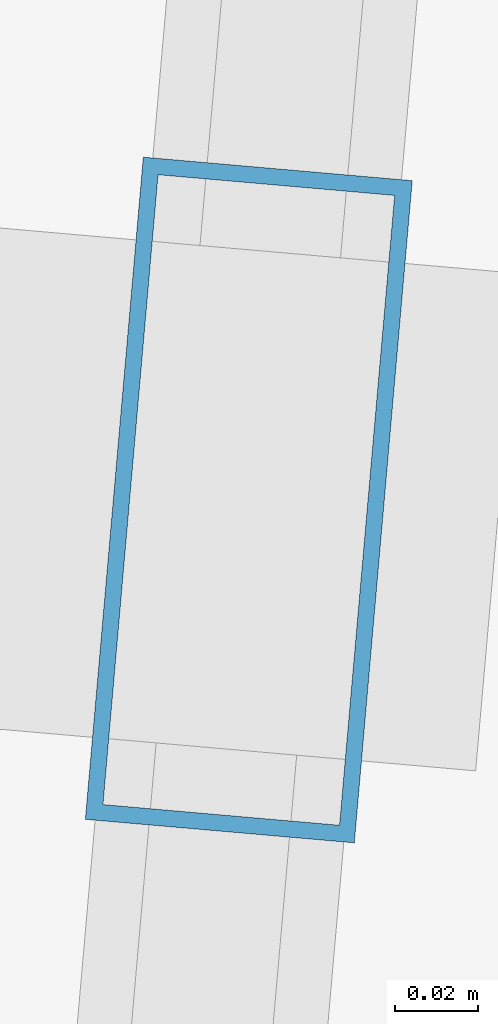
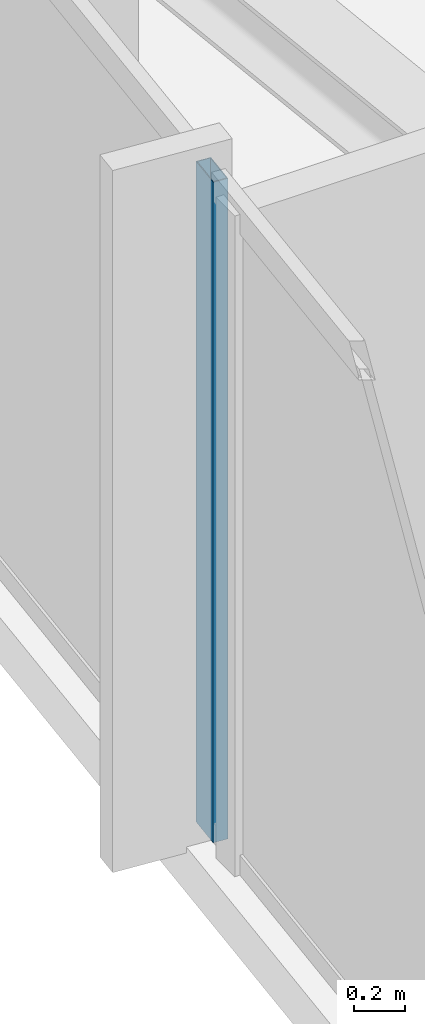
# One storey, part 5 of 32: 1 member, 1 element without a shape of its own.
"""IFC4 building model written with IfcOpenShell, lengths in metres."""

from ifc_helpers import new_model, si_unit, direction, frame, origin, origin_2d, place, context, subcontext, project, spatial, hollow_rectangle, extrude, material, material_profile, profile_set, type_object, element, aggregate, save


model = new_model("IFC4")

# Units and contexts
model_context = context("Model", 3, precision=1e-05, world=origin(), true_north=direction((0.0, 1.0)))
body_context = subcontext(model_context, "Body", "Model", "MODEL_VIEW")
ifc_project = project(units=[si_unit("LENGTHUNIT", "METRE"), si_unit("AREAUNIT", "SQUARE_METRE"), si_unit("VOLUMEUNIT", "CUBIC_METRE"), si_unit("PLANEANGLEUNIT", "RADIAN"), si_unit("MASSUNIT", "GRAM", prefix="KILO")], contexts=[model_context])

# Site, building, storey
site_placement = place(None, origin())
site = spatial("IfcSite", under=ifc_project, at=site_placement, CompositionType="ELEMENT")
building_placement = place(site_placement, origin())
building = spatial("IfcBuilding", under=site, at=building_placement, Name="Yelkora Congress Tower", CompositionType="ELEMENT")
storey_placement = place(building_placement, frame((0.0, 0.0, 265.89990234375)))
storey = spatial("IfcBuildingStorey", under=building, at=storey_placement, Name="L74", CompositionType="ELEMENT", Elevation=265.89990234375)

# Curtain wall, member
ifc_material_1 = material(Name="Anodised aluminium and insulated glass", Category="aluminium")
curtain_wall_type = type_object("IfcCurtainWallType", Name="CW-SYS-B5", PredefinedType="NOTDEFINED", material=ifc_material_1)
curtain_wall_placement = place(storey_placement, origin())
curtain_wall = element("IfcCurtainWall", 1, at=curtain_wall_placement, inside=storey, type_object=curtain_wall_type, Name="L74 Unitised Curtain Wall 5", PredefinedType="NOTDEFINED")
ifc_material_2 = material(Name="Anodised aluminium 6063-T6", Category="aluminium")
ifc_material_profile = material_profile(ifc_material_2, hollow_rectangle(XDim=0.06494140625, YDim=0.159912109375, WallThickness=0.00390625, at=origin_2d()), Name="ALU 65x160x4")
ifc_profile_set = profile_set([ifc_material_profile], Name="Anodised aluminium 6063-T6")
member_type = type_object("IfcMemberType", Name="MEM-ML-B5", PredefinedType="MULLION", material=ifc_profile_set)
member_placement = place(storey_placement, frame((6.313720703125, 28.49658203125, 0.0), z_axis=(0.0, 0.0, 1.0), x_axis=(-0.996194785929, 0.08715473876, 0.0)))
member = element("IfcMember", 2, at=member_placement, type_object=member_type, Name="CW-B5 mullion 2", PredefinedType="MULLION", context=body_context, shape_type="SweptSolid", body=[
    extrude(hollow_rectangle(XDim=0.06494140625, YDim=0.159912109375, WallThickness=0.00390625, at=origin_2d()), origin(), (0.0, 0.0, 1.0), 3.18017578125),
])
aggregate(curtain_wall, [member])

save(model, "model.ifc")
